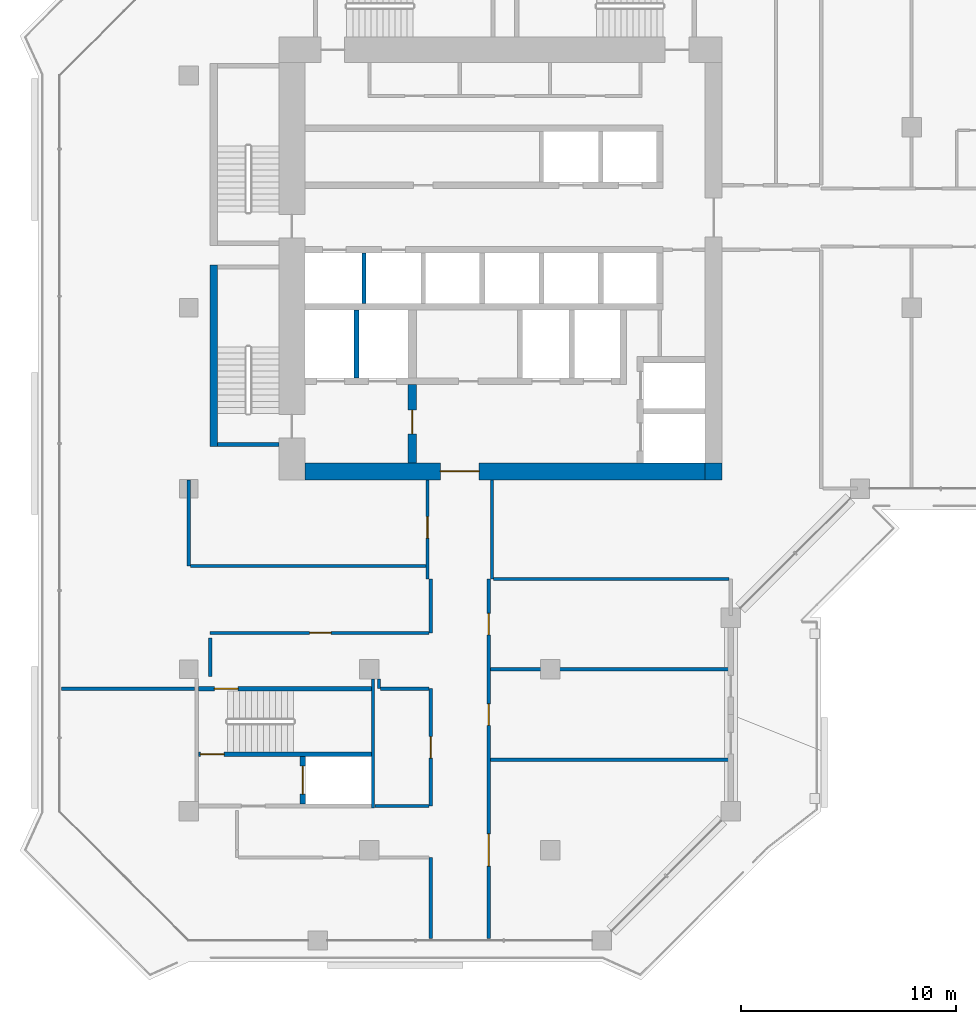
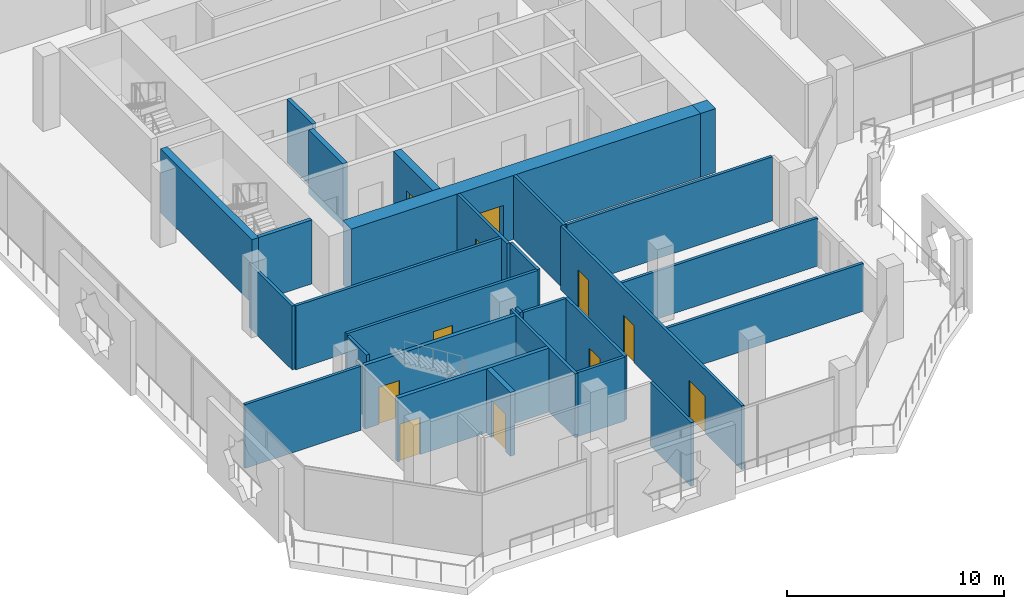
# One storey, part 10 of 21: 28 walls, 11 doors, 11 openings.
"""IFC4 building model written with IfcOpenShell, lengths in metres."""

from ifc_helpers import new_model, si_unit, direction, frame, frame_2d, origin, place, context, subcontext, project, spatial, rectangle, extrude, material, layer, layer_set, type_object, element, fill, save


model = new_model("IFC4")

# Units and contexts
model_context = context("Model", 3, precision=1e-05, world=origin(), true_north=direction((0.0, 1.0)))
body_context = subcontext(model_context, "Body", "Model", "MODEL_VIEW")
ifc_project = project(units=[si_unit("LENGTHUNIT", "METRE"), si_unit("AREAUNIT", "SQUARE_METRE"), si_unit("VOLUMEUNIT", "CUBIC_METRE"), si_unit("PLANEANGLEUNIT", "RADIAN"), si_unit("MASSUNIT", "GRAM", prefix="KILO")], contexts=[model_context])

# Site, building, storey
site_placement = place(None, origin())
site = spatial("IfcSite", under=ifc_project, at=site_placement, CompositionType="ELEMENT")
building_placement = place(site_placement, origin())
building = spatial("IfcBuilding", under=site, at=building_placement, Name="Kawkab Arch Medical Tower", CompositionType="ELEMENT")
storey_placement = place(building_placement, frame((0.0, 0.0, 230.60009765625)))
storey = spatial("IfcBuildingStorey", under=building, at=storey_placement, Name="L53", CompositionType="ELEMENT", Elevation=230.60009765625)

# Wall, opening, door
ifc_material_1 = material(Name="Concrete C50/60", Category="concrete")
ifc_layer_1 = layer(ifc_material_1, 0.800048828125)
ifc_layer_set_1 = layer_set([ifc_layer_1], Name="Concrete C50/60")
wall_type_1 = type_object("IfcWallType", Name="Core ring wall 800 C50/60", PredefinedType="SHEAR", material=ifc_layer_set_1)
wall_1_placement = place(storey_placement, frame((5.39990234375, -24.39990234375, 0.0), z_axis=(0.0, 0.0, 1.0), x_axis=(1.0, 0.0, 0.0)))
wall_1 = element("IfcWall", 1, at=wall_1_placement, inside=storey, type_object=wall_type_1, Name="L53 core wall", PredefinedType="SHEAR", context=body_context, shape_type="SweptSolid", body=[
    extrude(rectangle(XDim=18.60009765625, YDim=0.800048828125, at=frame_2d((9.300048828125, 0.0))), origin(), (0.0, 0.0, 1.0), 3.599853515625),
])
opening_1_placement = place(wall_1_placement, frame((6.300048828125, 0.0, 0.0)))
opening_1 = element("IfcOpeningElement", 2, at=opening_1_placement, cuts=wall_1, Name="Opening PD", PredefinedType="OPENING", context=body_context, shape_type="SweptSolid", body=[
    extrude(rectangle(XDim=1.800048828125, YDim=2.10009765625, at=frame_2d((0.89990234375, 1.050048828125))), frame((0.0, 0.409912109375, 0.0), z_axis=(0.0, -1.0, 0.0), x_axis=(1.0, 0.0, 0.0)), (0.0, 0.0, 1.0), 0.820068359375),
])
ifc_material_2 = material(Name="Hollow metal fire door leaf")
door_type_1 = type_object("IfcDoorType", Name="Core entrance doors 1800", OperationType="DOUBLE_DOOR_SINGLE_SWING", PredefinedType="DOOR", material=ifc_material_2)
door_1_placement = place(opening_1_placement, origin())
door_1 = element("IfcDoor", 3, at=door_1_placement, inside=storey, type_object=door_type_1, Name="L53 South entrance doors", OperationType="DOUBLE_DOOR_SINGLE_SWING", OverallHeight=2.10009765625, OverallWidth=1.800048828125, PredefinedType="DOOR", context=body_context, shape_type="SweptSolid", body=[
    extrude(rectangle(XDim=1.800048828125, YDim=2.10009765625, at=frame_2d((0.89990234375, 1.050048828125))), frame((0.0, 0.02490234375, 0.0), z_axis=(0.0, -1.0, 0.0), x_axis=(1.0, 0.0, 0.0)), (0.0, 0.0, 1.0), 0.050048828125),
])
fill(opening_1, door_1)

# Walls
wall_2_placement = place(storey_placement, frame((24.39990234375, -24.800048828125, 0.0), z_axis=(0.0, 0.0, 1.0), x_axis=(0.0, 1.0, 0.0)))
element("IfcWall", 4, at=wall_2_placement, inside=storey, type_object=wall_type_1, Name="L53 core wall", PredefinedType="SHEAR", context=body_context, shape_type="SweptSolid", body=[
    extrude(rectangle(XDim=0.800048828125, YDim=0.800048828125, at=frame_2d((0.39990234375, 0.0))), origin(), (0.0, 0.0, 1.0), 3.599853515625),
])
ifc_material_3 = material(Name="Concrete C60/75", Category="concrete")
ifc_layer_2 = layer(ifc_material_3, 0.25)
ifc_layer_set_2 = layer_set([ifc_layer_2], Name="Concrete C60/75")
wall_type_2 = type_object("IfcWallType", Name="Core shear wall 250 C60/75", PredefinedType="SHEAR", material=ifc_layer_set_2)
wall_3_placement = place(storey_placement, frame((7.800048828125, -20.050048828125, 0.0), z_axis=(0.0, 0.0, 1.0), x_axis=(0.0, 1.0, 0.0)))
element("IfcWall", 5, at=wall_3_placement, inside=storey, type_object=wall_type_2, Name="L53 core shear wall", PredefinedType="SHEAR", context=body_context, shape_type="SweptSolid", body=[
    extrude(rectangle(XDim=3.150146484375, YDim=0.25, at=frame_2d((1.5751953125, 0.0))), origin(), (0.0, 0.0, 1.0), 3.599853515625),
])

# Wall, opening, door
wall_4_placement = place(storey_placement, frame((5.300048828125, -39.85009765625, 0.0), z_axis=(0.0, 0.0, 1.0), x_axis=(0.0, 1.0, 0.0)))
wall_4 = element("IfcWall", 6, at=wall_4_placement, inside=storey, type_object=wall_type_2, Name="L53 core shear wall", PredefinedType="SHEAR", context=body_context, shape_type="SweptSolid", body=[
    extrude(rectangle(XDim=2.2001953125, YDim=0.25, at=frame_2d((1.10009765625, 0.0))), origin(), (0.0, 0.0, 1.0), 3.599853515625),
])
opening_2_placement = place(wall_4_placement, frame((0.449951171875, 0.0, 0.0)))
opening_2 = element("IfcOpeningElement", 7, at=opening_2_placement, cuts=wall_4, Name="Opening LD2", PredefinedType="OPENING", context=body_context, shape_type="SweptSolid", body=[
    extrude(rectangle(XDim=1.300048828125, YDim=2.10009765625, at=frame_2d((0.64990234375, 1.050048828125))), frame((0.0, 0.135009765625, 0.0), z_axis=(0.0, -1.0, 0.0), x_axis=(1.0, 0.0, 0.0)), (0.0, 0.0, 1.0), 0.27001953125),
])
ifc_material_4 = material(Name="Stainless steel lift door leaf", Category="steel")
door_type_2 = type_object("IfcDoorType", Name="Lift landing door 1300", OperationType="DOUBLE_DOOR_SLIDING", PredefinedType="DOOR", material=ifc_material_4)
door_2_placement = place(opening_2_placement, origin())
door_2 = element("IfcDoor", 8, at=door_2_placement, inside=storey, type_object=door_type_2, Name="L53 Lift landing door SV2", OperationType="DOUBLE_DOOR_SLIDING", OverallHeight=2.10009765625, OverallWidth=1.300048828125, PredefinedType="DOOR", context=body_context, shape_type="SweptSolid", body=[
    extrude(rectangle(XDim=1.300048828125, YDim=2.10009765625, at=frame_2d((0.64990234375, 1.050048828125))), frame((0.0, 0.02490234375, 0.0), z_axis=(0.0, -1.0, 0.0), x_axis=(1.0, 0.0, 0.0)), (0.0, 0.0, 1.0), 0.050048828125),
])
fill(opening_2, door_2)

ifc_material_5 = material(Name="Concrete C60/75", Category="concrete")
ifc_layer_3 = layer(ifc_material_5, 0.39990234375)
ifc_layer_set_3 = layer_set([ifc_layer_3], Name="Concrete C60/75")
wall_type_3 = type_object("IfcWallType", Name="Core shear wall 400 C60/75", PredefinedType="SHEAR", material=ifc_layer_set_3)
wall_5_placement = place(storey_placement, frame((10.39990234375, -24.0, 0.0), z_axis=(0.0, 0.0, 1.0), x_axis=(0.0, 1.0, 0.0)))
wall_5 = element("IfcWall", 9, at=wall_5_placement, inside=storey, type_object=wall_type_3, Name="L53 core shear wall", PredefinedType="SHEAR", context=body_context, shape_type="SweptSolid", body=[
    extrude(rectangle(XDim=3.64990234375, YDim=0.39990234375, at=frame_2d((1.824951171875, 0.0))), origin(), (0.0, 0.0, 1.0), 3.599853515625),
])
opening_3_placement = place(wall_5_placement, frame((1.35009765625, 0.0, 0.0)))
opening_3 = element("IfcOpeningElement", 10, at=opening_3_placement, cuts=wall_5, Name="Opening FD", PredefinedType="OPENING", context=body_context, shape_type="SweptSolid", body=[
    extrude(rectangle(XDim=1.10009765625, YDim=2.10009765625, at=frame_2d((0.550048828125, 1.050048828125))), frame((0.0, 0.2099609375, 0.0), z_axis=(0.0, -1.0, 0.0), x_axis=(1.0, 0.0, 0.0)), (0.0, 0.0, 1.0), 0.419921875),
])
ifc_material_6 = material(Name="Hollow metal fire door leaf")
door_type_3 = type_object("IfcDoorType", Name="Firefighting lobby door 1100", OperationType="SINGLE_SWING_LEFT", PredefinedType="DOOR", material=ifc_material_6)
door_3_placement = place(opening_3_placement, origin())
door_3 = element("IfcDoor", 11, at=door_3_placement, inside=storey, type_object=door_type_3, Name="L53 Firefighting lobby door", OperationType="SINGLE_SWING_LEFT", OverallHeight=2.10009765625, OverallWidth=1.10009765625, PredefinedType="DOOR", context=body_context, shape_type="SweptSolid", body=[
    extrude(rectangle(XDim=1.10009765625, YDim=2.10009765625, at=frame_2d((0.550048828125, 1.050048828125))), frame((0.0, 0.02490234375, 0.0), z_axis=(0.0, -1.0, 0.0), x_axis=(1.0, 0.0, 0.0)), (0.0, 0.0, 1.0), 0.050048828125),
])
fill(opening_3, door_3)

# Walls
ifc_material_7 = material(Name="Dense concrete blockwork", Category="masonry")
ifc_layer_4 = layer(ifc_material_7, 0.199951171875)
ifc_layer_set_4 = layer_set([ifc_layer_4], Name="Dense concrete blockwork")
wall_type_4 = type_object("IfcWallType", Name="Lift shaft partition 200", PredefinedType="PARTITIONING", material=ifc_layer_set_4)
wall_6_placement = place(storey_placement, frame((8.14990234375, -16.60009765625, 0.0), z_axis=(0.0, 0.0, 1.0), x_axis=(0.0, 1.0, 0.0)))
element("IfcWall", 12, at=wall_6_placement, inside=storey, type_object=wall_type_4, Name="L53 lift shaft partition", PredefinedType="PARTITIONING", context=body_context, shape_type="SweptSolid", body=[
    extrude(rectangle(XDim=2.35009765625, YDim=0.199951171875, at=frame_2d((1.175048828125, 0.0))), origin(), (0.0, 0.0, 1.0), 3.599853515625),
])
ifc_material_8 = material(Name="Gypsum board partition on steel studs, mineral wool", Category="steel")
ifc_layer_5 = layer(ifc_material_8, 0.14990234375)
ifc_layer_set_5 = layer_set([ifc_layer_5], Name="Gypsum board partition on steel studs, mineral wool")
wall_type_5 = type_object("IfcWallType", Name="Partition 150", PredefinedType="PARTITIONING", material=ifc_layer_set_5)
wall_7_placement = place(storey_placement, frame((8.64990234375, -39.949951171875, 0.0), z_axis=(0.0, 0.0, 1.0), x_axis=(1.0, 0.0, 0.0)))
element("IfcWall", 13, at=wall_7_placement, inside=storey, type_object=wall_type_5, Name="Partition 150 w013", PredefinedType="PARTITIONING", context=body_context, shape_type="SweptSolid", body=[
    extrude(rectangle(XDim=2.525146484375, YDim=0.14990234375, at=frame_2d((1.2626953125, 0.0))), origin(), (0.0, 0.0, 1.0), 3.599853515625),
])
wall_8_placement = place(storey_placement, frame((14.02490234375, -37.800048828125, 0.0), z_axis=(0.0, 0.0, 1.0), x_axis=(1.0, 0.0, 0.0)))
element("IfcWall", 14, at=wall_8_placement, inside=storey, type_object=wall_type_5, Name="Partition 150 w014", PredefinedType="PARTITIONING", context=body_context, shape_type="SweptSolid", body=[
    extrude(rectangle(XDim=11.09521484375, YDim=0.14990234375, at=frame_2d((5.547607421875, 0.0))), origin(), (0.0, 0.0, 1.0), 2.699951171875),
])
wall_9_placement = place(storey_placement, frame((-5.919921875, -34.5, 0.0), z_axis=(0.0, 0.0, 1.0), x_axis=(1.0, 0.0, 0.0)))
element("IfcWall", 15, at=wall_9_placement, inside=storey, type_object=wall_type_5, Name="Partition 150 w015", PredefinedType="PARTITIONING", context=body_context, shape_type="SweptSolid", body=[
    extrude(rectangle(XDim=6.18994140625, YDim=0.14990234375, at=frame_2d((3.094970703125, 0.0))), origin(), (0.0, 0.0, 1.0), 3.599853515625),
])
wall_10_placement = place(storey_placement, frame((8.927001953125, -34.5, 0.0), z_axis=(0.0, 0.0, 1.0), x_axis=(1.0, 0.0, 0.0)))
element("IfcWall", 16, at=wall_10_placement, inside=storey, type_object=wall_type_5, Name="Partition 150 w016", PredefinedType="PARTITIONING", context=body_context, shape_type="SweptSolid", body=[
    extrude(rectangle(XDim=2.248046875, YDim=0.14990234375, at=frame_2d((1.1240234375, 0.0))), origin(), (0.0, 0.0, 1.0), 3.599853515625),
])
wall_11_placement = place(storey_placement, frame((14.02490234375, -33.60009765625, 0.0), z_axis=(0.0, 0.0, 1.0), x_axis=(1.0, 0.0, 0.0)))
element("IfcWall", 17, at=wall_11_placement, inside=storey, type_object=wall_type_5, Name="Partition 150 w017", PredefinedType="PARTITIONING", context=body_context, shape_type="SweptSolid", body=[
    extrude(rectangle(XDim=11.09521484375, YDim=0.14990234375, at=frame_2d((5.547607421875, 0.0))), origin(), (0.0, 0.0, 1.0), 2.699951171875),
])

# Wall, opening, door
wall_12_placement = place(storey_placement, frame((1.001953125, -31.906982421875, 0.0), z_axis=(0.0, 0.0, 1.0), x_axis=(1.0, 0.0, 0.0)))
wall_12 = element("IfcWall", 18, at=wall_12_placement, inside=storey, type_object=wall_type_5, Name="Partition 150 w018", PredefinedType="PARTITIONING", context=body_context, shape_type="SweptSolid", body=[
    extrude(rectangle(XDim=10.173095703125, YDim=0.14990234375, at=frame_2d((5.08642578125, 0.0))), origin(), (0.0, 0.0, 1.0), 3.599853515625),
])
opening_4_placement = place(wall_12_placement, frame((4.6240234375, 0.0, 0.0)))
opening_4 = element("IfcOpeningElement", 19, at=opening_4_placement, cuts=wall_12, Name="Opening W53-018", PredefinedType="OPENING", context=body_context, shape_type="SweptSolid", body=[
    extrude(rectangle(XDim=1.0, YDim=2.10009765625, at=frame_2d((0.5, 1.050048828125))), frame((0.0, 0.0849609375, 0.0), z_axis=(0.0, -1.0, 0.0), x_axis=(1.0, 0.0, 0.0)), (0.0, 0.0, 1.0), 0.169921875),
])
ifc_material_9 = material(Name="Hollow metal door leaf")
door_type_4 = type_object("IfcDoorType", Name="Single door 1000x2100 FD30S", OperationType="NOTDEFINED", PredefinedType="DOOR", material=ifc_material_9)
door_4_placement = place(opening_4_placement, origin())
door_4 = element("IfcDoor", 20, at=door_4_placement, inside=storey, type_object=door_type_4, Name="Door W53-018", OperationType="SINGLE_SWING_LEFT", OverallHeight=2.10009765625, OverallWidth=1.0, PredefinedType="DOOR", context=body_context, shape_type="SweptSolid", body=[
    extrude(rectangle(XDim=1.0, YDim=2.10009765625, at=frame_2d((0.5, 1.050048828125))), frame((0.0, 0.02490234375, 0.0), z_axis=(0.0, -1.0, 0.0), x_axis=(1.0, 0.0, 0.0)), (0.0, 0.0, 1.0), 0.050048828125),
])
fill(opening_4, door_4)

# Walls
wall_13_placement = place(storey_placement, frame((14.175048828125, -29.39990234375, 0.0), z_axis=(0.0, 0.0, 1.0), x_axis=(1.0, 0.0, 0.0)))
element("IfcWall", 21, at=wall_13_placement, inside=storey, type_object=wall_type_5, Name="Partition 150 w019", PredefinedType="PARTITIONING", context=body_context, shape_type="SweptSolid", body=[
    extrude(rectangle(XDim=10.949951171875, YDim=0.14990234375, at=frame_2d((5.47509765625, 0.0))), origin(), (0.0, 0.0, 1.0), 3.599853515625),
])
wall_14_placement = place(storey_placement, frame((0.076904296875, -28.800048828125, 0.0), z_axis=(0.0, 0.0, 1.0), x_axis=(1.0, 0.0, 0.0)))
element("IfcWall", 22, at=wall_14_placement, inside=storey, type_object=wall_type_5, Name="Partition 150 w020", PredefinedType="PARTITIONING", context=body_context, shape_type="SweptSolid", body=[
    extrude(rectangle(XDim=10.947998046875, YDim=0.14990234375, at=frame_2d((5.47412109375, 0.0))), origin(), (0.0, 0.0, 1.0), 3.599853515625),
])
wall_15_placement = place(storey_placement, frame((0.0, -28.797119140625, 0.0), z_axis=(0.0, 0.0, 1.0), x_axis=(0.0, 1.0, 0.0)))
element("IfcWall", 23, at=wall_15_placement, inside=storey, type_object=wall_type_5, Name="Partition 150 w031", PredefinedType="PARTITIONING", context=body_context, shape_type="SweptSolid", body=[
    extrude(rectangle(XDim=3.9970703125, YDim=0.14990234375, at=frame_2d((1.99853515625, 0.0))), origin(), (0.0, 0.0, 1.0), 3.599853515625),
])
wall_16_placement = place(storey_placement, frame((1.0, -33.927001953125, 0.0), z_axis=(0.0, 0.0, 1.0), x_axis=(0.0, 1.0, 0.0)))
element("IfcWall", 24, at=wall_16_placement, inside=storey, type_object=wall_type_5, Name="Partition 150 w032", PredefinedType="PARTITIONING", context=body_context, shape_type="SweptSolid", body=[
    extrude(rectangle(XDim=1.787109375, YDim=0.14990234375, at=frame_2d((0.8935546875, 0.0))), origin(), (0.0, 0.0, 1.0), 3.599853515625),
])
wall_17_placement = place(storey_placement, frame((8.85009765625, -34.498046875, 0.0), z_axis=(0.0, 0.0, 1.0), x_axis=(0.0, 1.0, 0.0)))
element("IfcWall", 25, at=wall_17_placement, inside=storey, type_object=wall_type_5, Name="Partition 150 w035", PredefinedType="PARTITIONING", context=body_context, shape_type="SweptSolid", body=[
    extrude(rectangle(XDim=0.447021484375, YDim=0.14990234375, at=frame_2d((0.2236328125, 0.0))), origin(), (0.0, 0.0, 1.0), 3.599853515625),
])

# Wall, opening, door
wall_18_placement = place(storey_placement, frame((11.10009765625, -29.39697265625, 0.0), z_axis=(0.0, 0.0, 1.0), x_axis=(0.0, 1.0, 0.0)))
wall_18 = element("IfcWall", 26, at=wall_18_placement, inside=storey, type_object=wall_type_5, Name="Partition 150 w036", PredefinedType="PARTITIONING", context=body_context, shape_type="SweptSolid", body=[
    extrude(rectangle(XDim=4.596923828125, YDim=0.14990234375, at=frame_2d((2.29833984375, 0.0))), origin(), (0.0, 0.0, 1.0), 3.599853515625),
])
opening_5_placement = place(wall_18_placement, frame((1.89697265625, 0.0, 0.0)))
opening_5 = element("IfcOpeningElement", 27, at=opening_5_placement, cuts=wall_18, Name="Opening W53-017", PredefinedType="OPENING", context=body_context, shape_type="SweptSolid", body=[
    extrude(rectangle(XDim=1.0, YDim=2.10009765625, at=frame_2d((0.5, 1.050048828125))), frame((0.0, 0.0849609375, 0.0), z_axis=(0.0, -1.0, 0.0), x_axis=(1.0, 0.0, 0.0)), (0.0, 0.0, 1.0), 0.169921875),
])
door_5_placement = place(opening_5_placement, origin())
door_5 = element("IfcDoor", 28, at=door_5_placement, inside=storey, type_object=door_type_4, Name="Door W53-017", OperationType="SINGLE_SWING_RIGHT", OverallHeight=2.10009765625, OverallWidth=1.0, PredefinedType="DOOR", context=body_context, shape_type="SweptSolid", body=[
    extrude(rectangle(XDim=1.0, YDim=2.10009765625, at=frame_2d((0.5, 1.050048828125))), frame((0.0, 0.02490234375, 0.0), z_axis=(0.0, -1.0, 0.0), x_axis=(1.0, 0.0, 0.0)), (0.0, 0.0, 1.0), 0.050048828125),
])
fill(opening_5, door_5)

# Wall
wall_19_placement = place(storey_placement, frame((11.25, -46.1201171875, 0.0), z_axis=(0.0, 0.0, 1.0), x_axis=(0.0, 1.0, 0.0)))
element("IfcWall", 29, at=wall_19_placement, inside=storey, type_object=wall_type_5, Name="Partition 150 w037", PredefinedType="PARTITIONING", context=body_context, shape_type="SweptSolid", body=[
    extrude(rectangle(XDim=3.77001953125, YDim=0.14990234375, at=frame_2d((1.885009765625, 0.0))), origin(), (0.0, 0.0, 1.0), 3.599853515625),
])

# Wall, opening, door
wall_20_placement = place(storey_placement, frame((11.25, -39.949951171875, 0.0), z_axis=(0.0, 0.0, 1.0), x_axis=(0.0, 1.0, 0.0)))
wall_20 = element("IfcWall", 30, at=wall_20_placement, inside=storey, type_object=wall_type_5, Name="Partition 150 w038", PredefinedType="PARTITIONING", context=body_context, shape_type="SweptSolid", body=[
    extrude(rectangle(XDim=5.449951171875, YDim=0.14990234375, at=frame_2d((2.72509765625, 0.0))), origin(), (0.0, 0.0, 1.0), 3.599853515625),
])
opening_6_placement = place(wall_20_placement, frame((2.22509765625, 0.0, 0.0)))
opening_6 = element("IfcOpeningElement", 31, at=opening_6_placement, cuts=wall_20, Name="Opening W53-019", PredefinedType="OPENING", context=body_context, shape_type="SweptSolid", body=[
    extrude(rectangle(XDim=1.0, YDim=2.10009765625, at=frame_2d((0.5, 1.050048828125))), frame((0.0, 0.0849609375, 0.0), z_axis=(0.0, -1.0, 0.0), x_axis=(1.0, 0.0, 0.0)), (0.0, 0.0, 1.0), 0.169921875),
])
door_6_placement = place(opening_6_placement, origin())
door_6 = element("IfcDoor", 32, at=door_6_placement, inside=storey, type_object=door_type_4, Name="Door W53-019", OperationType="SINGLE_SWING_RIGHT", OverallHeight=2.10009765625, OverallWidth=1.0, PredefinedType="DOOR", context=body_context, shape_type="SweptSolid", body=[
    extrude(rectangle(XDim=1.0, YDim=2.10009765625, at=frame_2d((0.5, 1.050048828125))), frame((0.0, 0.02490234375, 0.0), z_axis=(0.0, -1.0, 0.0), x_axis=(1.0, 0.0, 0.0)), (0.0, 0.0, 1.0), 0.050048828125),
])
fill(opening_6, door_6)

# Wall
wall_21_placement = place(storey_placement, frame((11.25, -31.906982421875, 0.0), z_axis=(0.0, 0.0, 1.0), x_axis=(0.0, 1.0, 0.0)))
element("IfcWall", 33, at=wall_21_placement, inside=storey, type_object=wall_type_5, Name="Partition 150 w039", PredefinedType="PARTITIONING", context=body_context, shape_type="SweptSolid", body=[
    extrude(rectangle(XDim=2.507080078125, YDim=0.14990234375, at=frame_2d((1.25341796875, 0.0))), origin(), (0.0, 0.0, 1.0), 3.599853515625),
])

# Wall, openings, doors
wall_22_placement = place(storey_placement, frame((13.949951171875, -46.1201171875, 0.0), z_axis=(0.0, 0.0, 1.0), x_axis=(0.0, 1.0, 0.0)))
wall_22 = element("IfcWall", 34, at=wall_22_placement, inside=storey, type_object=wall_type_5, Name="Partition 150 w040", PredefinedType="PARTITIONING", context=body_context, shape_type="SweptSolid", body=[
    extrude(rectangle(XDim=16.72021484375, YDim=0.14990234375, at=frame_2d((8.360107421875, 0.0))), origin(), (0.0, 0.0, 1.0), 3.599853515625),
])
opening_7_placement = place(wall_22_placement, frame((14.1201171875, 0.0, 0.0)))
opening_7 = element("IfcOpeningElement", 35, at=opening_7_placement, cuts=wall_22, Name="Opening W53-021", PredefinedType="OPENING", context=body_context, shape_type="SweptSolid", body=[
    extrude(rectangle(XDim=1.0, YDim=2.10009765625, at=frame_2d((0.5, 1.050048828125))), frame((0.0, 0.0849609375, 0.0), z_axis=(0.0, -1.0, 0.0), x_axis=(1.0, 0.0, 0.0)), (0.0, 0.0, 1.0), 0.169921875),
])
opening_8_placement = place(wall_22_placement, frame((9.919921875, 0.0, 0.0)))
opening_8 = element("IfcOpeningElement", 36, at=opening_8_placement, cuts=wall_22, Name="Opening W53-022", PredefinedType="OPENING", context=body_context, shape_type="SweptSolid", body=[
    extrude(rectangle(XDim=1.0, YDim=2.10009765625, at=frame_2d((0.5, 1.050048828125))), frame((0.0, 0.0849609375, 0.0), z_axis=(0.0, -1.0, 0.0), x_axis=(1.0, 0.0, 0.0)), (0.0, 0.0, 1.0), 0.169921875),
])
opening_9_placement = place(wall_22_placement, frame((3.3701171875, 0.0, 0.0)))
opening_9 = element("IfcOpeningElement", 37, at=opening_9_placement, cuts=wall_22, Name="Opening W53-002", PredefinedType="OPENING", context=body_context, shape_type="SweptSolid", body=[
    extrude(rectangle(XDim=1.5, YDim=2.10009765625, at=frame_2d((0.75, 1.050048828125))), frame((0.0, 0.0849609375, 0.0), z_axis=(0.0, -1.0, 0.0), x_axis=(1.0, 0.0, 0.0)), (0.0, 0.0, 1.0), 0.169921875),
])
ifc_material_10 = material(Name="Hollow metal door leaf")
door_type_5 = type_object("IfcDoorType", Name="Double door 1500x2100 FD30S", OperationType="NOTDEFINED", PredefinedType="DOOR", material=ifc_material_10)
door_7_placement = place(opening_9_placement, origin())
door_7 = element("IfcDoor", 38, at=door_7_placement, inside=storey, type_object=door_type_5, Name="Door W53-002", OperationType="DOUBLE_DOOR_SINGLE_SWING", OverallHeight=2.10009765625, OverallWidth=1.5, PredefinedType="DOOR", context=body_context, shape_type="SweptSolid", body=[
    extrude(rectangle(XDim=1.5, YDim=2.10009765625, at=frame_2d((0.75, 1.050048828125))), frame((0.0, 0.02490234375, 0.0), z_axis=(0.0, -1.0, 0.0), x_axis=(1.0, 0.0, 0.0)), (0.0, 0.0, 1.0), 0.050048828125),
])
fill(opening_9, door_7)
door_8_placement = place(opening_7_placement, origin())
door_8 = element("IfcDoor", 39, at=door_8_placement, inside=storey, type_object=door_type_4, Name="Door W53-021", OperationType="SINGLE_SWING_LEFT", OverallHeight=2.10009765625, OverallWidth=1.0, PredefinedType="DOOR", context=body_context, shape_type="SweptSolid", body=[
    extrude(rectangle(XDim=1.0, YDim=2.10009765625, at=frame_2d((0.5, 1.050048828125))), frame((0.0, 0.02490234375, 0.0), z_axis=(0.0, -1.0, 0.0), x_axis=(1.0, 0.0, 0.0)), (0.0, 0.0, 1.0), 0.050048828125),
])
fill(opening_7, door_8)
door_9_placement = place(opening_8_placement, origin())
door_9 = element("IfcDoor", 40, at=door_9_placement, inside=storey, type_object=door_type_4, Name="Door W53-022", OperationType="SINGLE_SWING_LEFT", OverallHeight=2.10009765625, OverallWidth=1.0, PredefinedType="DOOR", context=body_context, shape_type="SweptSolid", body=[
    extrude(rectangle(XDim=1.0, YDim=2.10009765625, at=frame_2d((0.5, 1.050048828125))), frame((0.0, 0.02490234375, 0.0), z_axis=(0.0, -1.0, 0.0), x_axis=(1.0, 0.0, 0.0)), (0.0, 0.0, 1.0), 0.050048828125),
])
fill(opening_8, door_9)

# Walls
wall_23_placement = place(storey_placement, frame((14.10009765625, -29.39990234375, 0.0), z_axis=(0.0, 0.0, 1.0), x_axis=(0.0, 1.0, 0.0)))
element("IfcWall", 41, at=wall_23_placement, inside=storey, type_object=wall_type_5, Name="Partition 150 w041", PredefinedType="PARTITIONING", context=body_context, shape_type="SweptSolid", body=[
    extrude(rectangle(XDim=4.599853515625, YDim=0.14990234375, at=frame_2d((2.2998046875, 0.0))), origin(), (0.0, 0.0, 1.0), 3.599853515625),
])
ifc_material_11 = material(Name="Concrete C50/60", Category="concrete")
ifc_layer_6 = layer(ifc_material_11, 0.14990234375)
ifc_layer_set_6 = layer_set([ifc_layer_6], Name="Concrete C50/60")
wall_type_6 = type_object("IfcWallType", Name="Stair enclosure wall 150 C50/60", PredefinedType="SHEAR", material=ifc_layer_set_6)
wall_24_placement = place(storey_placement, frame((8.574951171875, -40.050048828125, 0.0), z_axis=(0.0, 0.0, 1.0), x_axis=(0.0, 1.0, 0.0)))
element("IfcWall", 42, at=wall_24_placement, inside=storey, type_object=wall_type_6, Name="L53 stair enclosure wall", PredefinedType="SHEAR", context=body_context, shape_type="SweptSolid", body=[
    extrude(rectangle(XDim=6.0, YDim=0.14990234375, at=frame_2d((3.0, 0.0))), origin(), (0.0, 0.0, 1.0), 3.599853515625),
])
ifc_material_12 = material(Name="Concrete C50/60", Category="concrete")
ifc_layer_7 = layer(ifc_material_12, 0.199951171875)
ifc_layer_set_7 = layer_set([ifc_layer_7], Name="Concrete C50/60")
wall_type_7 = type_object("IfcWallType", Name="Stair enclosure wall 200 C50/60", PredefinedType="SHEAR", material=ifc_layer_set_7)
wall_25_placement = place(storey_placement, frame((1.35009765625, -23.14990234375, 0.0), z_axis=(0.0, 0.0, 1.0), x_axis=(1.0, 0.0, 0.0)))
element("IfcWall", 43, at=wall_25_placement, inside=storey, type_object=wall_type_7, Name="L53 stair enclosure wall", PredefinedType="SHEAR", context=body_context, shape_type="SweptSolid", body=[
    extrude(rectangle(XDim=2.849853515625, YDim=0.199951171875, at=frame_2d((1.4248046875, 0.0))), origin(), (0.0, 0.0, 1.0), 3.599853515625),
])

# Wall, opening, door
wall_26_placement = place(storey_placement, frame((0.449951171875, -34.5, 0.0), z_axis=(0.0, 0.0, 1.0), x_axis=(1.0, 0.0, 0.0)))
wall_26 = element("IfcWall", 44, at=wall_26_placement, inside=storey, type_object=wall_type_7, Name="L53 stair enclosure wall", PredefinedType="SHEAR", context=body_context, shape_type="SweptSolid", body=[
    extrude(rectangle(XDim=8.050048828125, YDim=0.199951171875, at=frame_2d((4.02490234375, 0.0))), origin(), (0.0, 0.0, 1.0), 3.599853515625),
])
opening_10_placement = place(wall_26_placement, frame((0.75, 0.0, 0.0)))
opening_10 = element("IfcOpeningElement", 45, at=opening_10_placement, cuts=wall_26, Name="Opening SD", PredefinedType="OPENING", context=body_context, shape_type="SweptSolid", body=[
    extrude(rectangle(XDim=1.10009765625, YDim=2.10009765625, at=frame_2d((0.550048828125, 1.050048828125))), frame((0.0, 0.10986328125, 0.0), z_axis=(0.0, -1.0, 0.0), x_axis=(1.0, 0.0, 0.0)), (0.0, 0.0, 1.0), 0.219970703125),
])
ifc_material_13 = material(Name="Hollow metal fire door leaf")
door_type_6 = type_object("IfcDoorType", Name="Exit stair door 1100", OperationType="SINGLE_SWING_LEFT", PredefinedType="DOOR", material=ifc_material_13)
door_10_placement = place(opening_10_placement, origin())
door_10 = element("IfcDoor", 46, at=door_10_placement, inside=storey, type_object=door_type_6, Name="L53 Exit stair ST6 door", OperationType="SINGLE_SWING_LEFT", OverallHeight=2.10009765625, OverallWidth=1.10009765625, PredefinedType="DOOR", context=body_context, shape_type="SweptSolid", body=[
    extrude(rectangle(XDim=1.10009765625, YDim=2.10009765625, at=frame_2d((0.550048828125, 1.050048828125))), frame((0.0, 0.02490234375, 0.0), z_axis=(0.0, -1.0, 0.0), x_axis=(1.0, 0.0, 0.0)), (0.0, 0.0, 1.0), 0.050048828125),
])
fill(opening_10, door_10)

wall_27_placement = place(storey_placement, frame((0.449951171875, -37.550048828125, 0.0), z_axis=(0.0, 0.0, 1.0), x_axis=(1.0, 0.0, 0.0)))
wall_27 = element("IfcWall", 47, at=wall_27_placement, inside=storey, type_object=wall_type_7, Name="L53 stair enclosure wall", PredefinedType="SHEAR", context=body_context, shape_type="SweptSolid", body=[
    extrude(rectangle(XDim=8.050048828125, YDim=0.199951171875, at=frame_2d((4.02490234375, 0.0))), origin(), (0.0, 0.0, 1.0), 3.599853515625),
])
opening_11_placement = place(wall_27_placement, frame((0.10009765625, 0.0, 0.0)))
opening_11 = element("IfcOpeningElement", 48, at=opening_11_placement, cuts=wall_27, Name="Opening SD", PredefinedType="OPENING", context=body_context, shape_type="SweptSolid", body=[
    extrude(rectangle(XDim=1.10009765625, YDim=2.10009765625, at=frame_2d((0.550048828125, 1.050048828125))), frame((0.0, 0.10986328125, 0.0), z_axis=(0.0, -1.0, 0.0), x_axis=(1.0, 0.0, 0.0)), (0.0, 0.0, 1.0), 0.219970703125),
])
door_11_placement = place(opening_11_placement, frame((1.10009765625, 0.0, 0.0), z_axis=(0.0, 0.0, 1.0), x_axis=(-1.0, 0.0, 0.0)))
door_11 = element("IfcDoor", 49, at=door_11_placement, inside=storey, type_object=door_type_6, Name="L53 Exit stair ST6 lobby door", OperationType="SINGLE_SWING_LEFT", OverallHeight=2.10009765625, OverallWidth=1.10009765625, PredefinedType="DOOR", context=body_context, shape_type="SweptSolid", body=[
    extrude(rectangle(XDim=1.10009765625, YDim=2.10009765625, at=frame_2d((0.550048828125, 1.050048828125))), frame((0.0, 0.02490234375, 0.0), z_axis=(0.0, -1.0, 0.0), x_axis=(1.0, 0.0, 0.0)), (0.0, 0.0, 1.0), 0.050048828125),
])
fill(opening_11, door_11)

# Wall
ifc_material_14 = material(Name="Concrete C50/60", Category="concrete")
ifc_layer_8 = layer(ifc_material_14, 0.35009765625)
ifc_layer_set_8 = layer_set([ifc_layer_8], Name="Concrete C50/60")
wall_type_8 = type_object("IfcWallType", Name="Stair enclosure wall 350 C50/60", PredefinedType="SHEAR", material=ifc_layer_set_8)
wall_28_placement = place(storey_placement, frame((1.175048828125, -23.25, 0.0), z_axis=(0.0, 0.0, 1.0), x_axis=(0.0, 1.0, 0.0)))
element("IfcWall", 50, at=wall_28_placement, inside=storey, type_object=wall_type_8, Name="L53 stair enclosure wall", PredefinedType="SHEAR", context=body_context, shape_type="SweptSolid", body=[
    extrude(rectangle(XDim=8.449951171875, YDim=0.35009765625, at=frame_2d((4.22509765625, 0.0))), origin(), (0.0, 0.0, 1.0), 3.599853515625),
])

save(model, "model.ifc")
